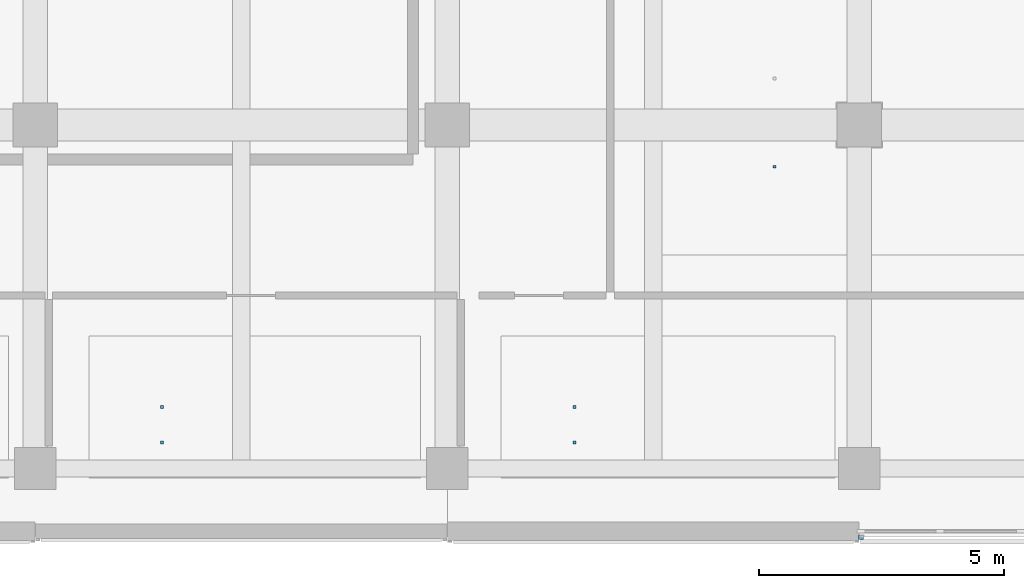
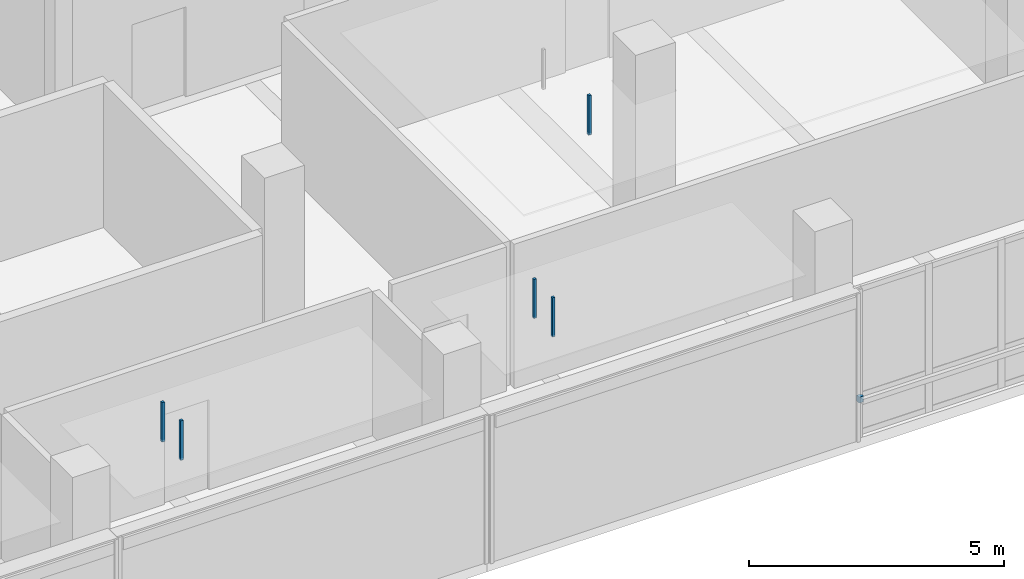
# One storey, part 18 of 36: 6 discrete accessories.
"""IFC4 building model written with IfcOpenShell, lengths in metres."""

from ifc_helpers import new_model, si_unit, direction, frame, origin, origin_2d, place, context, subcontext, project, spatial, rectangle, extrude, material, type_object, element, save


model = new_model("IFC4")

# Units and contexts
model_context = context("Model", 3, precision=1e-05, world=origin(), true_north=direction((0.0, 1.0)))
body_context = subcontext(model_context, "Body", "Model", "MODEL_VIEW")
ifc_project = project(units=[si_unit("LENGTHUNIT", "METRE"), si_unit("AREAUNIT", "SQUARE_METRE"), si_unit("VOLUMEUNIT", "CUBIC_METRE"), si_unit("PLANEANGLEUNIT", "RADIAN"), si_unit("MASSUNIT", "GRAM", prefix="KILO")], contexts=[model_context])

# Site, building, storey
site_placement = place(None, origin())
site = spatial("IfcSite", under=ifc_project, at=site_placement, CompositionType="ELEMENT")
building_placement = place(site_placement, origin())
building = spatial("IfcBuilding", under=site, at=building_placement, Name="Telukmera Botanical Conservatory", CompositionType="ELEMENT")
storey_placement = place(building_placement, frame((0.0, 0.0, 24.0)))
storey = spatial("IfcBuildingStorey", under=building, at=storey_placement, Name="L05", CompositionType="ELEMENT", Elevation=24.0)

# Discrete accessories
ifc_material = material(Name="Steel S355", Category="steel")
discrete_accessory_type_1 = type_object("IfcDiscreteAccessoryType", Name="ACC-CEIL-HGR", PredefinedType="BRACKET", material=ifc_material)
for number, where, z_axis, x_axis, name in (
    (1, (99.069091796875, 16.75, 3.31005859375), (0.0, 0.0, 1.0), (1.0, 0.0, 0.0), "L05 Suspended Ceiling Hanger Rod 028-1"),
    (2, (86.5849609375, 11.125, 3.31005859375), (0.0, 0.0, 1.0), (1.0, 0.0, 0.0), "L05 Suspended Ceiling Hanger Rod 034-1"),
    (3, (86.5849609375, 11.85009765625, 3.31005859375), (0.0, 0.0, 1.0), (1.0, 0.0, 0.0), "L05 Suspended Ceiling Hanger Rod 034-2"),
):
    element("IfcDiscreteAccessory", number, at=place(storey_placement, frame(where, z_axis=z_axis, x_axis=x_axis)), inside=storey, type_object=discrete_accessory_type_1, Name=name, PredefinedType="BRACKET", context=body_context, shape_type="SweptSolid", body=[
        extrude(rectangle(XDim=0.06005859375, YDim=0.06005859375, at=origin_2d()), origin(), (0.0, 0.0, 1.0), 0.945068359375),
    ])
for number, where, z_axis, x_axis, name in (
    (4, (94.9970703125, 11.125, 3.320068359375), (0.0, 0.0, 1.0), (1.0, 0.0, 0.0), "L05 Suspended Ceiling Hanger Rod 035-1"),
    (5, (94.9970703125, 11.85009765625, 3.320068359375), (0.0, 0.0, 1.0), (1.0, 0.0, 0.0), "L05 Suspended Ceiling Hanger Rod 035-2"),
):
    element("IfcDiscreteAccessory", number, at=place(storey_placement, frame(where, z_axis=z_axis, x_axis=x_axis)), inside=storey, type_object=discrete_accessory_type_1, Name=name, PredefinedType="BRACKET", context=body_context, shape_type="SweptSolid", body=[
        extrude(rectangle(XDim=0.06005859375, YDim=0.06005859375, at=origin_2d()), origin(), (0.0, 0.0, 1.0), 0.93505859375),
    ])
discrete_accessory_type_2 = type_object("IfcDiscreteAccessoryType", Name="Structural Steel Facade Outrigger Fin Bracket", PredefinedType="BRACKET", material=ifc_material)
discrete_accessory_placement = place(storey_placement, frame((100.83447265625, 9.195068359375, 0.8798828125), z_axis=(0.0, 0.0, 1.0), x_axis=(1.0, 0.0, 0.0)))
element("IfcDiscreteAccessory", 6, at=discrete_accessory_placement, inside=storey, type_object=discrete_accessory_type_2, Name="Facade Outrigger Bracket V4:L05:S7 A", PredefinedType="BRACKET", context=body_context, shape_type="SweptSolid", body=[
    extrude(rectangle(XDim=0.10009765625, YDim=0.090087890625, at=origin_2d()), origin(), (0.0, 0.0, 1.0), 0.139892578125),
])

save(model, "model.ifc")
